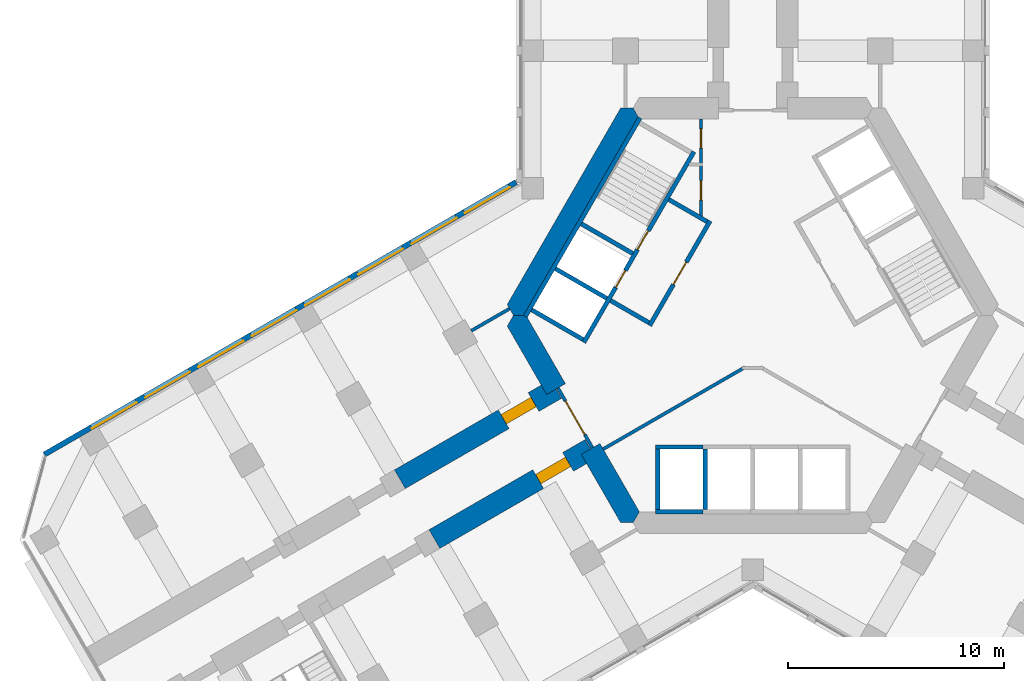
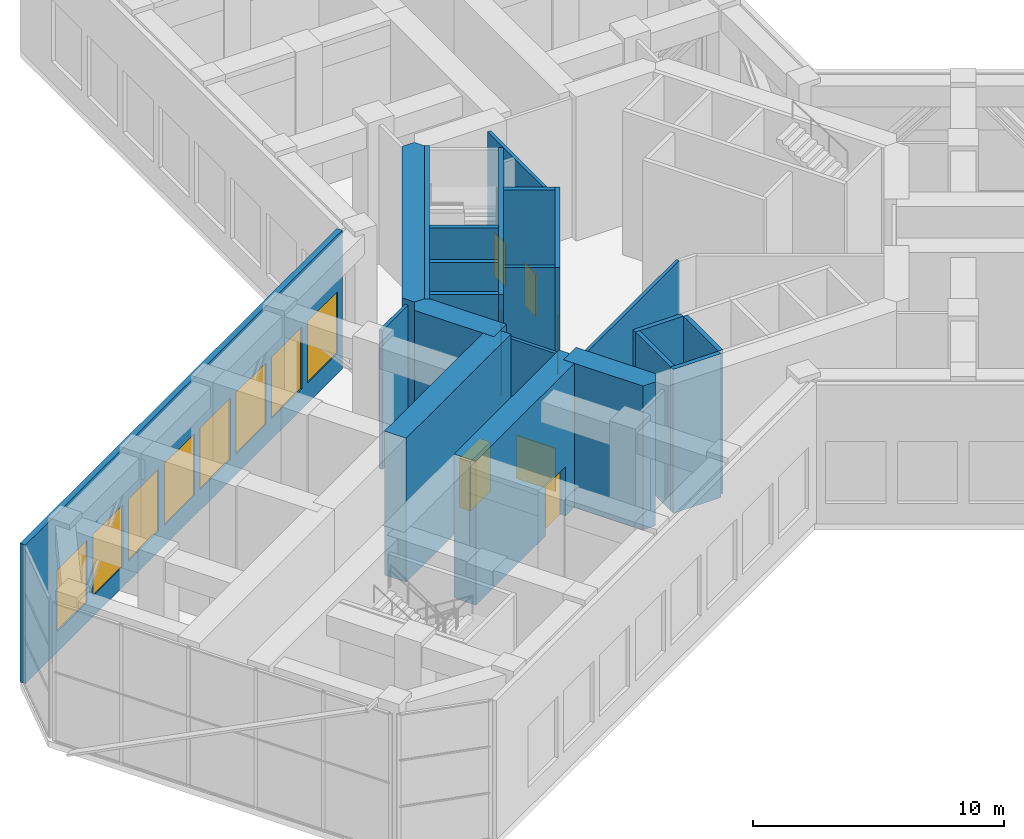
# One storey, part 11 of 17: 22 walls, 8 doors, 8 windows, 16 openings.
"""IFC4 building model written with IfcOpenShell, lengths in metres."""

from ifc_helpers import new_model, si_unit, direction, frame, frame_2d, origin, place, context, subcontext, project, spatial, polyline, rectangle, outline, extrude, material, layer, layer_set, type_object, element, fill, save


model = new_model("IFC4")

# Units and contexts
model_context = context("Model", 3, precision=1e-05, world=origin(), true_north=direction((0.0, 1.0)))
body_context = subcontext(model_context, "Body", "Model", "MODEL_VIEW")
ifc_project = project(units=[si_unit("LENGTHUNIT", "METRE"), si_unit("AREAUNIT", "SQUARE_METRE"), si_unit("VOLUMEUNIT", "CUBIC_METRE"), si_unit("PLANEANGLEUNIT", "RADIAN"), si_unit("MASSUNIT", "GRAM", prefix="KILO")], contexts=[model_context])

# Site, building, storey
site_placement = place(None, origin())
site = spatial("IfcSite", under=ifc_project, at=site_placement, CompositionType="ELEMENT")
building_placement = place(site_placement, origin())
building = spatial("IfcBuilding", under=site, at=building_placement, Name="Kosmar Iwan School Tower", CompositionType="ELEMENT")
storey_placement = place(building_placement, frame((0.0, 0.0, 113.199951171875)))
storey = spatial("IfcBuildingStorey", under=building, at=storey_placement, Name="L28", CompositionType="ELEMENT", Elevation=113.199951171875)

# Wall, openings, doors
ifc_material_1 = material(Name="Gypsum board on steel studs, fire-rated", Category="steel")
ifc_layer_1 = layer(ifc_material_1, 0.14990234375)
ifc_layer_set_1 = layer_set([ifc_layer_1], Name="Core room partition 150")
wall_type_1 = type_object("IfcWallType", Name="Core room partition 150", PredefinedType="PARTITIONING", material=ifc_layer_set_1)
wall_1_placement = place(storey_placement, frame((-2.39990234375, 9.094970703125, 0.0), z_axis=(0.0, 0.0, 1.0), x_axis=(0.0, -1.0, 0.0)))
wall_1 = element("IfcWall", 1, at=wall_1_placement, inside=storey, type_object=wall_type_1, Name="Core room partition L28-CW1", PredefinedType="PARTITIONING", context=body_context, shape_type="SweptSolid", body=[
    extrude(rectangle(XDim=4.564208984375, YDim=0.14990234375, at=frame_2d((2.2822265625, 0.0))), origin(), (0.0, 0.0, 1.0), 6.75),
])
opening_1_placement = place(wall_1_placement, frame((0.455078125, 0.0, 0.0)))
opening_1 = element("IfcOpeningElement", 2, at=opening_1_placement, cuts=wall_1, Name="Opening D14", PredefinedType="OPENING", context=body_context, shape_type="SweptSolid", body=[
    extrude(rectangle(XDim=0.89990234375, YDim=2.10009765625, at=frame_2d((0.449951171875, 1.050048828125))), frame((0.0, 0.0869140625, 0.0), z_axis=(0.0, -1.0, 0.0), x_axis=(1.0, 0.0, 0.0)), (0.0, 0.0, 1.0), 0.173828125),
])
opening_2_placement = place(wall_1_placement, frame((2.85498046875, 0.0, 0.0)))
opening_2 = element("IfcOpeningElement", 3, at=opening_2_placement, cuts=wall_1, Name="Opening D14", PredefinedType="OPENING", context=body_context, shape_type="SweptSolid", body=[
    extrude(rectangle(XDim=0.89990234375, YDim=2.10009765625, at=frame_2d((0.449951171875, 1.050048828125))), frame((0.0, 0.0869140625, 0.0), z_axis=(0.0, -1.0, 0.0), x_axis=(1.0, 0.0, 0.0)), (0.0, 0.0, 1.0), 0.173828125),
])
ifc_material_2 = material(Name="Timber fire door in steel frame", Category="steel")
door_type_1 = type_object("IfcDoorType", Name="Core room door 900x2100", OperationType="SINGLE_SWING_LEFT", PredefinedType="DOOR", material=ifc_material_2)
door_1_placement = place(opening_1_placement, origin())
door_1 = element("IfcDoor", 4, at=door_1_placement, inside=storey, type_object=door_type_1, Name="Electrical riser and switch room door L28 1", OperationType="SINGLE_SWING_LEFT", OverallHeight=2.10009765625, OverallWidth=0.89990234375, PredefinedType="DOOR", context=body_context, shape_type="SweptSolid", body=[
    extrude(rectangle(XDim=0.89990234375, YDim=2.10009765625, at=frame_2d((0.449951171875, 1.050048828125))), frame((0.0, 0.02490234375, 0.0), z_axis=(0.0, -1.0, 0.0), x_axis=(1.0, 0.0, 0.0)), (0.0, 0.0, 1.0), 0.050048828125),
])
fill(opening_1, door_1)
door_2_placement = place(opening_2_placement, origin())
door_2 = element("IfcDoor", 5, at=door_2_placement, inside=storey, type_object=door_type_1, Name="Plumbing and wet riser door L28 2", OperationType="SINGLE_SWING_RIGHT", OverallHeight=2.10009765625, OverallWidth=0.89990234375, PredefinedType="DOOR", context=body_context, shape_type="SweptSolid", body=[
    extrude(rectangle(XDim=0.89990234375, YDim=2.10009765625, at=frame_2d((0.449951171875, 1.050048828125))), frame((0.0, 0.02490234375, 0.0), z_axis=(0.0, -1.0, 0.0), x_axis=(1.0, 0.0, 0.0)), (0.0, 0.0, 1.0), 0.050048828125),
])
fill(opening_2, door_2)

# Walls
wall_2_placement = place(storey_placement, frame((-6.930908203125, -6.195556640625, 0.0), z_axis=(0.0, 0.0, 1.0), x_axis=(0.866025421855, 0.4999999687, 0.0)))
element("IfcWall", 6, at=wall_2_placement, inside=storey, type_object=wall_type_1, Name="Core room partition L28-CW6", PredefinedType="PARTITIONING", context=body_context, shape_type="SweptSolid", body=[
    extrude(rectangle(XDim=7.58984375, YDim=0.14990234375, at=frame_2d((3.794921875, 0.0))), origin(), (0.0, 0.0, 1.0), 6.75),
])
ifc_material_3 = material(Name="Concrete C50/60", Category="concrete")
ifc_layer_2 = layer(ifc_material_3, 1.0)
ifc_layer_set_2 = layer_set([ifc_layer_2], Name="Core wall 1000")
wall_type_2 = type_object("IfcWallType", Name="Core wall 1000", PredefinedType="SHEAR", material=ifc_layer_set_2)
wall_3_placement = place(storey_placement, origin())
element("IfcWall", 7, at=wall_3_placement, inside=storey, type_object=wall_type_2, Name="Core wall F150", PredefinedType="SHEAR", context=body_context, shape_type="SweptSolid", body=[
    extrude(outline(polyline([(-11.085205078125, 0.0), (-10.5078125, 0.0), (-5.25390625, 9.10009765625), (-5.54248046875, 9.60009765625), (-6.119873046875, 9.60009765625), (-11.373779296875, 0.5), (-11.085205078125, 0.0)])), origin(), (0.0, 0.0, 1.0), 7.0),
])
wall_4_placement = place(storey_placement, origin())
element("IfcWall", 8, at=wall_4_placement, inside=storey, type_object=wall_type_2, Name="Core wall F210a", PredefinedType="SHEAR", context=body_context, shape_type="SweptSolid", body=[
    extrude(outline(polyline([(-9.546875, -3.664306640625), (-8.680908203125, -3.164306640625), (-10.5078125, 0.0), (-11.085205078125, 0.0), (-11.373779296875, -0.5), (-9.546875, -3.664306640625)])), origin(), (0.0, 0.0, 1.0), 7.0),
])
wall_5_placement = place(storey_placement, origin())
element("IfcWall", 9, at=wall_5_placement, inside=storey, type_object=wall_type_2, Name="Core wall F210b", PredefinedType="SHEAR", context=body_context, shape_type="SweptSolid", body=[
    extrude(outline(polyline([(-6.119873046875, -9.60009765625), (-5.54248046875, -9.60009765625), (-5.25390625, -9.10009765625), (-7.080810546875, -5.935546875), (-7.94677734375, -6.435546875), (-6.119873046875, -9.60009765625)])), origin(), (0.0, 0.0, 1.0), 7.0),
])

# Wall, opening, door
ifc_material_4 = material(Name="Concrete C50/60", Category="concrete")
ifc_layer_3 = layer(ifc_material_4, 1.0)
ifc_layer_set_3 = layer_set([ifc_layer_3], Name="Corridor buttress wall 1000")
wall_type_3 = type_object("IfcWallType", Name="Corridor buttress wall 1000", PredefinedType="SHEAR", material=ifc_layer_set_3)
wall_6_placement = place(storey_placement, frame((-7.513916015625, -6.185546875, 0.0), z_axis=(0.0, 0.0, 1.0), x_axis=(-0.866019549707, -0.500010139422, 0.0)))
wall_6 = element("IfcWall", 10, at=wall_6_placement, inside=storey, type_object=wall_type_3, Name="Corridor wall BL", PredefinedType="SHEAR", context=body_context, shape_type="SweptSolid", body=[
    extrude(rectangle(XDim=8.349853515625, YDim=1.0, at=frame_2d((4.1748046875, 0.0))), origin(), (0.0, 0.0, 1.0), 7.0),
])
opening_3_placement = place(wall_6_placement, frame((1.199951171875, 0.0, 0.0)))
opening_3 = element("IfcOpeningElement", 11, at=opening_3_placement, cuts=wall_6, Name="Opening D5", PredefinedType="OPENING", context=body_context, shape_type="SweptSolid", body=[
    extrude(rectangle(XDim=1.60009765625, YDim=2.39990234375, at=frame_2d((0.800048828125, 1.199951171875))), frame((0.0, 0.511962890625, 0.0), z_axis=(0.0, -1.0, 0.0), x_axis=(1.0, 0.0, 0.0)), (0.0, 0.0, 1.0), 1.02392578125),
])
ifc_material_5 = material(Name="Steel fire door", Category="steel")
door_type_2 = type_object("IfcDoorType", Name="Plant room door pair 1600x2400", OperationType="DOUBLE_DOOR_SINGLE_SWING", PredefinedType="DOOR", material=ifc_material_5)
door_3_placement = place(opening_3_placement, origin())
door_3 = element("IfcDoor", 12, at=door_3_placement, inside=storey, type_object=door_type_2, Name="Refuge area door L28-BL1", OperationType="DOUBLE_DOOR_SINGLE_SWING", OverallHeight=2.39990234375, OverallWidth=1.60009765625, PredefinedType="DOOR", context=body_context, shape_type="SweptSolid", body=[
    extrude(rectangle(XDim=1.60009765625, YDim=2.39990234375, at=frame_2d((0.800048828125, 1.199951171875))), frame((0.0, 0.25, 0.0), z_axis=(0.0, -1.0, 0.0), x_axis=(1.0, 0.0, 0.0)), (0.0, 0.0, 1.0), 0.5),
])
fill(opening_3, door_3)

wall_7_placement = place(storey_placement, frame((-9.11376953125, -3.414306640625, 0.0), z_axis=(0.0, 0.0, 1.0), x_axis=(-0.866026859388, -0.499997478812, 0.0)))
wall_7 = element("IfcWall", 13, at=wall_7_placement, inside=storey, type_object=wall_type_3, Name="Corridor wall BR", PredefinedType="SHEAR", context=body_context, shape_type="SweptSolid", body=[
    extrude(rectangle(XDim=8.35009765625, YDim=1.0, at=frame_2d((4.175048828125, 0.0))), origin(), (0.0, 0.0, 1.0), 7.0),
])
opening_4_placement = place(wall_7_placement, frame((1.199951171875, 0.0, 0.0)))
opening_4 = element("IfcOpeningElement", 14, at=opening_4_placement, cuts=wall_7, Name="Opening D5", PredefinedType="OPENING", context=body_context, shape_type="SweptSolid", body=[
    extrude(rectangle(XDim=1.60009765625, YDim=2.39990234375, at=frame_2d((0.800048828125, 1.199951171875))), frame((0.0, 0.511962890625, 0.0), z_axis=(0.0, -1.0, 0.0), x_axis=(1.0, 0.0, 0.0)), (0.0, 0.0, 1.0), 1.02392578125),
])
door_4_placement = place(opening_4_placement, origin())
door_4 = element("IfcDoor", 15, at=door_4_placement, inside=storey, type_object=door_type_2, Name="Refuge area door L28-BR1", OperationType="DOUBLE_DOOR_SINGLE_SWING", OverallHeight=2.39990234375, OverallWidth=1.60009765625, PredefinedType="DOOR", context=body_context, shape_type="SweptSolid", body=[
    extrude(rectangle(XDim=1.60009765625, YDim=2.39990234375, at=frame_2d((0.800048828125, 1.199951171875))), frame((0.0, 0.25, 0.0), z_axis=(0.0, -1.0, 0.0), x_axis=(1.0, 0.0, 0.0)), (0.0, 0.0, 1.0), 0.5),
])
fill(opening_4, door_4)

ifc_material_6 = material(Name="Steel framed glazed screen", Category="steel")
ifc_layer_4 = layer(ifc_material_6, 0.14990234375)
ifc_layer_set_4 = layer_set([ifc_layer_4], Name="Corridor screen wall 150")
wall_type_4 = type_object("IfcWallType", Name="Corridor screen wall 150", PredefinedType="PARTITIONING", material=ifc_layer_set_4)
wall_8_placement = place(storey_placement, frame((-9.02734375, -3.3642578125, 0.0), z_axis=(0.0, 0.0, 1.0), x_axis=(0.499995408039, -0.866028054938, 0.0)))
wall_8 = element("IfcWall", 16, at=wall_8_placement, inside=storey, type_object=wall_type_4, Name="Corridor screen B L28", PredefinedType="PARTITIONING", context=body_context, shape_type="SweptSolid", body=[
    extrude(rectangle(XDim=3.2001953125, YDim=0.14990234375, at=frame_2d((1.60009765625, 0.0))), origin(), (0.0, 0.0, 1.0), 6.75),
])
opening_5_placement = place(wall_8_placement, frame((0.699951171875, 0.0, 0.0)))
opening_5 = element("IfcOpeningElement", 17, at=opening_5_placement, cuts=wall_8, Name="Opening D9", PredefinedType="OPENING", context=body_context, shape_type="SweptSolid", body=[
    extrude(rectangle(XDim=1.800048828125, YDim=2.10009765625, at=frame_2d((0.89990234375, 1.050048828125))), frame((0.0, 0.0869140625, 0.0), z_axis=(0.0, -1.0, 0.0), x_axis=(1.0, 0.0, 0.0)), (0.0, 0.0, 1.0), 0.173828125),
])
ifc_material_7 = material(Name="Steel framed glazed smoke door", Category="steel")
door_type_3 = type_object("IfcDoorType", Name="Corridor smoke door pair 1800x2100", OperationType="DOUBLE_DOOR_DOUBLE_SWING", PredefinedType="DOOR", material=ifc_material_7)
door_5_placement = place(opening_5_placement, origin())
door_5 = element("IfcDoor", 18, at=door_5_placement, inside=storey, type_object=door_type_3, Name="Corridor doors B L28", OperationType="DOUBLE_DOOR_DOUBLE_SWING", OverallHeight=2.10009765625, OverallWidth=1.800048828125, PredefinedType="DOOR", context=body_context, shape_type="SweptSolid", body=[
    extrude(rectangle(XDim=1.800048828125, YDim=2.10009765625, at=frame_2d((0.89990234375, 1.050048828125))), frame((0.0, 0.02490234375, 0.0), z_axis=(0.0, -1.0, 0.0), x_axis=(1.0, 0.0, 0.0)), (0.0, 0.0, 1.0), 0.050048828125),
])
fill(opening_5, door_5)

# Wall, openings, windows
ifc_material_8 = material(Name="Black aluminium rainscreen on insulated framing", Category="aluminium")
ifc_layer_5 = layer(ifc_material_8, 0.25)
ifc_layer_set_5 = layer_set([ifc_layer_5], Name="External wall rainscreen 250")
wall_type_5 = type_object("IfcWallType", Name="External wall rainscreen 250", PredefinedType="SOLIDWALL", material=ifc_layer_set_5)
wall_9_placement = place(storey_placement, frame((-10.962890625, 6.170166015625, 0.0), z_axis=(0.0, 0.0, 1.0), x_axis=(-0.86602796634, -0.499995561497, 0.0)))
wall_9 = element("IfcWall", 19, at=wall_9_placement, inside=storey, type_object=wall_type_5, Name="External wall BR L28", PredefinedType="SOLIDWALL", context=body_context, shape_type="SweptSolid", body=[
    extrude(rectangle(XDim=25.226318359375, YDim=0.25, at=frame_2d((12.61328125, 0.0))), origin(), (0.0, 0.0, 1.0), 6.75),
])
opening_6_placement = place(wall_9_placement, frame((0.365966796875, 0.0, 1.0)))
opening_6 = element("IfcOpeningElement", 20, at=opening_6_placement, cuts=wall_9, Name="Opening LV1", PredefinedType="OPENING", context=body_context, shape_type="SweptSolid", body=[
    extrude(rectangle(XDim=2.39990234375, YDim=3.0, at=frame_2d((1.199951171875, 1.5))), frame((0.0, 0.136962890625, 0.0), z_axis=(0.0, -1.0, 0.0), x_axis=(1.0, 0.0, 0.0)), (0.0, 0.0, 1.0), 0.27392578125),
])
opening_7_placement = place(wall_9_placement, frame((3.216064453125, 0.0, 1.0)))
opening_7 = element("IfcOpeningElement", 21, at=opening_7_placement, cuts=wall_9, Name="Opening LV1", PredefinedType="OPENING", context=body_context, shape_type="SweptSolid", body=[
    extrude(rectangle(XDim=2.39990234375, YDim=3.0, at=frame_2d((1.199951171875, 1.5))), frame((0.0, 0.136962890625, 0.0), z_axis=(0.0, -1.0, 0.0), x_axis=(1.0, 0.0, 0.0)), (0.0, 0.0, 1.0), 0.27392578125),
])
opening_8_placement = place(wall_9_placement, frame((6.06591796875, 0.0, 1.0)))
opening_8 = element("IfcOpeningElement", 22, at=opening_8_placement, cuts=wall_9, Name="Opening LV1", PredefinedType="OPENING", context=body_context, shape_type="SweptSolid", body=[
    extrude(rectangle(XDim=2.39990234375, YDim=3.0, at=frame_2d((1.199951171875, 1.5))), frame((0.0, 0.136962890625, 0.0), z_axis=(0.0, -1.0, 0.0), x_axis=(1.0, 0.0, 0.0)), (0.0, 0.0, 1.0), 0.27392578125),
])
opening_9_placement = place(wall_9_placement, frame((8.916015625, 0.0, 1.0)))
opening_9 = element("IfcOpeningElement", 23, at=opening_9_placement, cuts=wall_9, Name="Opening LV1", PredefinedType="OPENING", context=body_context, shape_type="SweptSolid", body=[
    extrude(rectangle(XDim=2.39990234375, YDim=3.0, at=frame_2d((1.199951171875, 1.5))), frame((0.0, 0.136962890625, 0.0), z_axis=(0.0, -1.0, 0.0), x_axis=(1.0, 0.0, 0.0)), (0.0, 0.0, 1.0), 0.27392578125),
])
opening_10_placement = place(wall_9_placement, frame((11.76611328125, 0.0, 1.0)))
opening_10 = element("IfcOpeningElement", 24, at=opening_10_placement, cuts=wall_9, Name="Opening LV1", PredefinedType="OPENING", context=body_context, shape_type="SweptSolid", body=[
    extrude(rectangle(XDim=2.39990234375, YDim=3.0, at=frame_2d((1.199951171875, 1.5))), frame((0.0, 0.136962890625, 0.0), z_axis=(0.0, -1.0, 0.0), x_axis=(1.0, 0.0, 0.0)), (0.0, 0.0, 1.0), 0.27392578125),
])
opening_11_placement = place(wall_9_placement, frame((14.615966796875, 0.0, 1.0)))
opening_11 = element("IfcOpeningElement", 25, at=opening_11_placement, cuts=wall_9, Name="Opening LV1", PredefinedType="OPENING", context=body_context, shape_type="SweptSolid", body=[
    extrude(rectangle(XDim=2.39990234375, YDim=3.0, at=frame_2d((1.199951171875, 1.5))), frame((0.0, 0.136962890625, 0.0), z_axis=(0.0, -1.0, 0.0), x_axis=(1.0, 0.0, 0.0)), (0.0, 0.0, 1.0), 0.27392578125),
])
opening_12_placement = place(wall_9_placement, frame((17.466064453125, 0.0, 1.0)))
opening_12 = element("IfcOpeningElement", 26, at=opening_12_placement, cuts=wall_9, Name="Opening LV1", PredefinedType="OPENING", context=body_context, shape_type="SweptSolid", body=[
    extrude(rectangle(XDim=2.39990234375, YDim=3.0, at=frame_2d((1.199951171875, 1.5))), frame((0.0, 0.136962890625, 0.0), z_axis=(0.0, -1.0, 0.0), x_axis=(1.0, 0.0, 0.0)), (0.0, 0.0, 1.0), 0.27392578125),
])
opening_13_placement = place(wall_9_placement, frame((20.31591796875, 0.0, 1.0)))
opening_13 = element("IfcOpeningElement", 27, at=opening_13_placement, cuts=wall_9, Name="Opening LV1", PredefinedType="OPENING", context=body_context, shape_type="SweptSolid", body=[
    extrude(rectangle(XDim=2.39990234375, YDim=3.0, at=frame_2d((1.199951171875, 1.5))), frame((0.0, 0.136962890625, 0.0), z_axis=(0.0, -1.0, 0.0), x_axis=(1.0, 0.0, 0.0)), (0.0, 0.0, 1.0), 0.27392578125),
])
ifc_material_9 = material(Name="Black aluminium louvre", Category="aluminium")
window_type = type_object("IfcWindowType", Name="Plant louvre 2400x3000", PartitioningType="SINGLE_PANEL", PredefinedType="USERDEFINED", material=ifc_material_9)
window_1_placement = place(opening_6_placement, origin())
window_1 = element("IfcWindow", 28, at=window_1_placement, inside=storey, type_object=window_type, Name="Window BR L28 -1", ObjectType="LOUVRE", OverallHeight=3.0, OverallWidth=2.39990234375, PartitioningType="SINGLE_PANEL", PredefinedType="USERDEFINED", context=body_context, shape_type="SweptSolid", body=[
    extrude(rectangle(XDim=2.39990234375, YDim=3.0, at=frame_2d((1.199951171875, 1.5))), frame((0.0, 0.070068359375, 0.0), z_axis=(0.0, -1.0, 0.0), x_axis=(1.0, 0.0, 0.0)), (0.0, 0.0, 1.0), 0.02001953125),
])
fill(opening_6, window_1)
window_2_placement = place(opening_7_placement, origin())
window_2 = element("IfcWindow", 29, at=window_2_placement, inside=storey, type_object=window_type, Name="Window BR L28 0", ObjectType="LOUVRE", OverallHeight=3.0, OverallWidth=2.39990234375, PartitioningType="SINGLE_PANEL", PredefinedType="USERDEFINED", context=body_context, shape_type="SweptSolid", body=[
    extrude(rectangle(XDim=2.39990234375, YDim=3.0, at=frame_2d((1.199951171875, 1.5))), frame((0.0, 0.070068359375, 0.0), z_axis=(0.0, -1.0, 0.0), x_axis=(1.0, 0.0, 0.0)), (0.0, 0.0, 1.0), 0.02001953125),
])
fill(opening_7, window_2)
window_3_placement = place(opening_8_placement, origin())
window_3 = element("IfcWindow", 30, at=window_3_placement, inside=storey, type_object=window_type, Name="Window BR L28 1", ObjectType="LOUVRE", OverallHeight=3.0, OverallWidth=2.39990234375, PartitioningType="SINGLE_PANEL", PredefinedType="USERDEFINED", context=body_context, shape_type="SweptSolid", body=[
    extrude(rectangle(XDim=2.39990234375, YDim=3.0, at=frame_2d((1.199951171875, 1.5))), frame((0.0, 0.070068359375, 0.0), z_axis=(0.0, -1.0, 0.0), x_axis=(1.0, 0.0, 0.0)), (0.0, 0.0, 1.0), 0.02001953125),
])
fill(opening_8, window_3)
window_4_placement = place(opening_9_placement, origin())
window_4 = element("IfcWindow", 31, at=window_4_placement, inside=storey, type_object=window_type, Name="Window BR L28 2", ObjectType="LOUVRE", OverallHeight=3.0, OverallWidth=2.39990234375, PartitioningType="SINGLE_PANEL", PredefinedType="USERDEFINED", context=body_context, shape_type="SweptSolid", body=[
    extrude(rectangle(XDim=2.39990234375, YDim=3.0, at=frame_2d((1.199951171875, 1.5))), frame((0.0, 0.070068359375, 0.0), z_axis=(0.0, -1.0, 0.0), x_axis=(1.0, 0.0, 0.0)), (0.0, 0.0, 1.0), 0.02001953125),
])
fill(opening_9, window_4)
window_5_placement = place(opening_10_placement, origin())
window_5 = element("IfcWindow", 32, at=window_5_placement, inside=storey, type_object=window_type, Name="Window BR L28 3", ObjectType="LOUVRE", OverallHeight=3.0, OverallWidth=2.39990234375, PartitioningType="SINGLE_PANEL", PredefinedType="USERDEFINED", context=body_context, shape_type="SweptSolid", body=[
    extrude(rectangle(XDim=2.39990234375, YDim=3.0, at=frame_2d((1.199951171875, 1.5))), frame((0.0, 0.070068359375, 0.0), z_axis=(0.0, -1.0, 0.0), x_axis=(1.0, 0.0, 0.0)), (0.0, 0.0, 1.0), 0.02001953125),
])
fill(opening_10, window_5)
window_6_placement = place(opening_11_placement, origin())
window_6 = element("IfcWindow", 33, at=window_6_placement, inside=storey, type_object=window_type, Name="Window BR L28 4", ObjectType="LOUVRE", OverallHeight=3.0, OverallWidth=2.39990234375, PartitioningType="SINGLE_PANEL", PredefinedType="USERDEFINED", context=body_context, shape_type="SweptSolid", body=[
    extrude(rectangle(XDim=2.39990234375, YDim=3.0, at=frame_2d((1.199951171875, 1.5))), frame((0.0, 0.070068359375, 0.0), z_axis=(0.0, -1.0, 0.0), x_axis=(1.0, 0.0, 0.0)), (0.0, 0.0, 1.0), 0.02001953125),
])
fill(opening_11, window_6)
window_7_placement = place(opening_12_placement, origin())
window_7 = element("IfcWindow", 34, at=window_7_placement, inside=storey, type_object=window_type, Name="Window BR L28 5", ObjectType="LOUVRE", OverallHeight=3.0, OverallWidth=2.39990234375, PartitioningType="SINGLE_PANEL", PredefinedType="USERDEFINED", context=body_context, shape_type="SweptSolid", body=[
    extrude(rectangle(XDim=2.39990234375, YDim=3.0, at=frame_2d((1.199951171875, 1.5))), frame((0.0, 0.070068359375, 0.0), z_axis=(0.0, -1.0, 0.0), x_axis=(1.0, 0.0, 0.0)), (0.0, 0.0, 1.0), 0.02001953125),
])
fill(opening_12, window_7)
window_8_placement = place(opening_13_placement, origin())
window_8 = element("IfcWindow", 35, at=window_8_placement, inside=storey, type_object=window_type, Name="Window BR L28 6", ObjectType="LOUVRE", OverallHeight=3.0, OverallWidth=2.39990234375, PartitioningType="SINGLE_PANEL", PredefinedType="USERDEFINED", context=body_context, shape_type="SweptSolid", body=[
    extrude(rectangle(XDim=2.39990234375, YDim=3.0, at=frame_2d((1.199951171875, 1.5))), frame((0.0, 0.070068359375, 0.0), z_axis=(0.0, -1.0, 0.0), x_axis=(1.0, 0.0, 0.0)), (0.0, 0.0, 1.0), 0.02001953125),
])
fill(opening_13, window_8)

# Wall, opening, door
ifc_material_10 = material(Name="Concrete block masonry", Category="masonry")
ifc_layer_6 = layer(ifc_material_10, 0.199951171875)
ifc_layer_set_6 = layer_set([ifc_layer_6], Name="Fire lobby wall 200")
wall_type_6 = type_object("IfcWallType", Name="Fire lobby wall 200", PredefinedType="PARTITIONING", material=ifc_layer_set_6)
wall_10_placement = place(storey_placement, frame((-1.9775390625, 4.374755859375, 0.0), z_axis=(0.0, 0.0, 1.0), x_axis=(-0.500016814911, -0.866015695474, 0.0)))
wall_10 = element("IfcWall", 36, at=wall_10_placement, inside=storey, type_object=wall_type_6, Name="Firefighting lobby wall ST2", PredefinedType="PARTITIONING", context=body_context, shape_type="SweptSolid", body=[
    extrude(rectangle(XDim=5.599853515625, YDim=0.199951171875, at=frame_2d((2.7998046875, 0.0))), origin(), (0.0, 0.0, 1.0), 6.75),
])
opening_14_placement = place(wall_10_placement, frame((2.199951171875, 0.0, 0.0)))
opening_14 = element("IfcOpeningElement", 37, at=opening_14_placement, cuts=wall_10, Name="Opening D7", PredefinedType="OPENING", context=body_context, shape_type="SweptSolid", body=[
    extrude(rectangle(XDim=1.199951171875, YDim=2.10009765625, at=frame_2d((0.60009765625, 1.050048828125))), frame((0.0, 0.112060546875, 0.0), z_axis=(0.0, -1.0, 0.0), x_axis=(1.0, 0.0, 0.0)), (0.0, 0.0, 1.0), 0.223876953125),
])
ifc_material_11 = material(Name="Steel fire door", Category="steel")
door_type_4 = type_object("IfcDoorType", Name="Fire lobby door 1200x2100", OperationType="SINGLE_SWING_LEFT", PredefinedType="DOOR", material=ifc_material_11)
door_6_placement = place(opening_14_placement, origin())
door_6 = element("IfcDoor", 38, at=door_6_placement, inside=storey, type_object=door_type_4, Name="Firefighting lobby door ST2 L28", OperationType="SINGLE_SWING_LEFT", OverallHeight=2.10009765625, OverallWidth=1.199951171875, PredefinedType="DOOR", context=body_context, shape_type="SweptSolid", body=[
    extrude(rectangle(XDim=1.199951171875, YDim=2.10009765625, at=frame_2d((0.60009765625, 1.050048828125))), frame((0.0, 0.02490234375, 0.0), z_axis=(0.0, -1.0, 0.0), x_axis=(1.0, 0.0, 0.0)), (0.0, 0.0, 1.0), 0.050048828125),
])
fill(opening_14, door_6)

# Walls
wall_11_placement = place(storey_placement, frame((-2.114013671875, 4.33837890625, 0.0), z_axis=(0.0, 0.0, 1.0), x_axis=(-0.866050731258, 0.499956128963, 0.0)))
element("IfcWall", 39, at=wall_11_placement, inside=storey, type_object=wall_type_6, Name="Firefighting lobby wall ST2", PredefinedType="PARTITIONING", context=body_context, shape_type="SweptSolid", body=[
    extrude(rectangle(XDim=2.050048828125, YDim=0.199951171875, at=frame_2d((1.02490234375, 0.0))), origin(), (0.0, 0.0, 1.0), 6.75),
])
wall_12_placement = place(storey_placement, frame((-4.814208984375, -0.33837890625, 0.0), z_axis=(0.0, 0.0, 1.0), x_axis=(-0.865969381856, 0.500097020274, 0.0)))
element("IfcWall", 40, at=wall_12_placement, inside=storey, type_object=wall_type_6, Name="Firefighting lobby wall ST2", PredefinedType="PARTITIONING", context=body_context, shape_type="SweptSolid", body=[
    extrude(rectangle(XDim=2.0498046875, YDim=0.199951171875, at=frame_2d((1.02490234375, 0.0))), origin(), (0.0, 0.0, 1.0), 6.75),
])

# Wall, openings, doors
ifc_material_12 = material(Name="Concrete C50/60", Category="concrete")
ifc_layer_7 = layer(ifc_material_12, 0.199951171875)
ifc_layer_set_7 = layer_set([ifc_layer_7], Name="Lift shaft wall 200")
wall_type_7 = type_object("IfcWallType", Name="Lift shaft wall 200", PredefinedType="SHEAR", material=ifc_layer_set_7)
wall_13_placement = place(storey_placement, frame((-2.72607421875, 7.578369140625, 0.0), z_axis=(0.0, 0.0, 1.0), x_axis=(-0.500005610874, -0.86602216432, 0.0)))
wall_13 = element("IfcWall", 41, at=wall_13_placement, inside=storey, type_object=wall_type_7, Name="Lift and stair front wall AB", PredefinedType="SHEAR", context=body_context, shape_type="SweptSolid", body=[
    extrude(rectangle(XDim=10.2001953125, YDim=0.199951171875, at=frame_2d((5.10009765625, 0.0))), origin(), (0.0, 0.0, 1.0), 7.0),
])
opening_15_placement = place(wall_13_placement, frame((6.35009765625, 0.0, 0.0)))
opening_15 = element("IfcOpeningElement", 42, at=opening_15_placement, cuts=wall_13, Name="Opening LD2", PredefinedType="OPENING", context=body_context, shape_type="SweptSolid", body=[
    extrude(rectangle(XDim=0.89990234375, YDim=2.10009765625, at=frame_2d((0.449951171875, 1.050048828125))), frame((0.0, 0.112060546875, 0.0), z_axis=(0.0, -1.0, 0.0), x_axis=(1.0, 0.0, 0.0)), (0.0, 0.0, 1.0), 0.223876953125),
])
opening_16_placement = place(wall_13_placement, frame((4.22998046875, 0.0, 0.0)))
opening_16 = element("IfcOpeningElement", 43, at=opening_16_placement, cuts=wall_13, Name="Opening D6", PredefinedType="OPENING", context=body_context, shape_type="SweptSolid", body=[
    extrude(rectangle(XDim=1.0, YDim=2.10009765625, at=frame_2d((0.5, 1.050048828125))), frame((0.0, 0.112060546875, 0.0), z_axis=(0.0, -1.0, 0.0), x_axis=(1.0, 0.0, 0.0)), (0.0, 0.0, 1.0), 0.223876953125),
])
ifc_material_13 = material(Name="Stainless steel sliding lift door", Category="steel")
door_type_5 = type_object("IfcDoorType", Name="Firefighting lift landing door 900x2100", OperationType="SLIDING_TO_LEFT", PredefinedType="DOOR", material=ifc_material_13)
door_7_placement = place(opening_15_placement, origin())
door_7 = element("IfcDoor", 44, at=door_7_placement, inside=storey, type_object=door_type_5, Name="Lift FF2 landing door L28", OperationType="SLIDING_TO_LEFT", OverallHeight=2.10009765625, OverallWidth=0.89990234375, PredefinedType="DOOR", context=body_context, shape_type="SweptSolid", body=[
    extrude(rectangle(XDim=0.89990234375, YDim=2.10009765625, at=frame_2d((0.449951171875, 1.050048828125))), frame((0.0, 0.02490234375, 0.0), z_axis=(0.0, -1.0, 0.0), x_axis=(1.0, 0.0, 0.0)), (0.0, 0.0, 1.0), 0.050048828125),
])
fill(opening_15, door_7)
ifc_material_14 = material(Name="Steel fire door", Category="steel")
door_type_6 = type_object("IfcDoorType", Name="Stair door 1000x2100", OperationType="SINGLE_SWING_LEFT", PredefinedType="DOOR", material=ifc_material_14)
door_8_placement = place(opening_16_placement, origin())
door_8 = element("IfcDoor", 45, at=door_8_placement, inside=storey, type_object=door_type_6, Name="Stair ST2 door L28", OperationType="SINGLE_SWING_LEFT", OverallHeight=2.10009765625, OverallWidth=1.0, PredefinedType="DOOR", context=body_context, shape_type="SweptSolid", body=[
    extrude(rectangle(XDim=1.0, YDim=2.10009765625, at=frame_2d((0.5, 1.050048828125))), frame((0.0, 0.02490234375, 0.0), z_axis=(0.0, -1.0, 0.0), x_axis=(1.0, 0.0, 0.0)), (0.0, 0.0, 1.0), 0.050048828125),
])
fill(opening_16, door_8)

# Walls
wall_14_placement = place(storey_placement, frame((-5.22509765625, 9.14990234375, 0.0), z_axis=(0.0, 0.0, 1.0), x_axis=(-0.499994998079, -0.866028291626, 0.0)))
element("IfcWall", 46, at=wall_14_placement, inside=storey, type_object=wall_type_7, Name="Lift and stair back wall AB", PredefinedType="SHEAR", context=body_context, shape_type="SweptSolid", body=[
    extrude(rectangle(XDim=10.623046875, YDim=0.199951171875, at=frame_2d((5.3115234375, 0.0))), origin(), (0.0, 0.0, 1.0), 7.0),
])
for number, where, z_axis, x_axis, name in (
    (47, (-6.7626953125, 0.78662109375, 0.0), (0.0, 0.0, 1.0), (-0.866027397988, 0.499996545922, 0.0), "Lift shaft wall AB 1"),
    (48, (-7.862548828125, -1.118408203125, 0.0), (0.0, 0.0, 1.0), (-0.866027397988, 0.499996545922, 0.0), "Lift shaft wall AB 2"),
):
    element("IfcWall", number, at=place(storey_placement, frame(where, z_axis=z_axis, x_axis=x_axis)), inside=storey, type_object=wall_type_7, Name=name, PredefinedType="SHEAR", context=body_context, shape_type="SweptSolid", body=[
        extrude(rectangle(XDim=2.75, YDim=0.199951171875, at=frame_2d((1.375, 0.0))), origin(), (0.0, 0.0, 1.0), 7.0),
    ])
for number, where, z_axis, x_axis, name in (
    (49, (-4.5, -6.10009765625, 0.0), (0.0, 0.0, 1.0), (1.0, 0.0, 0.0), "Lift and stair front wall BC"),
    (50, (-4.5, -9.10009765625, 0.0), (0.0, 0.0, 1.0), (1.0, 0.0, 0.0), "Lift and stair back wall BC"),
):
    element("IfcWall", number, at=place(storey_placement, frame(where, z_axis=z_axis, x_axis=x_axis)), inside=storey, type_object=wall_type_7, Name=name, PredefinedType="SHEAR", context=body_context, shape_type="SweptSolid", body=[
        extrude(rectangle(XDim=2.199951171875, YDim=0.199951171875, at=frame_2d((1.10009765625, 0.0))), origin(), (0.0, 0.0, 1.0), 7.0),
    ])
for number, where, z_axis, x_axis, name in (
    (51, (-4.39990234375, -6.199951171875, 0.0), (0.0, 0.0, 1.0), (0.0, -1.0, 0.0), "Lift shaft wall BC 0"),
    (52, (-2.199951171875, -6.199951171875, 0.0), (0.0, 0.0, 1.0), (0.0, -1.0, 0.0), "Lift shaft wall BC 1"),
):
    element("IfcWall", number, at=place(storey_placement, frame(where, z_axis=z_axis, x_axis=x_axis)), inside=storey, type_object=wall_type_7, Name=name, PredefinedType="SHEAR", context=body_context, shape_type="SweptSolid", body=[
        extrude(rectangle(XDim=2.800048828125, YDim=0.199951171875, at=frame_2d((1.39990234375, 0.0))), origin(), (0.0, 0.0, 1.0), 7.0),
    ])
ifc_material_15 = material(Name="Gypsum board on steel studs", Category="steel")
ifc_layer_8 = layer(ifc_material_15, 0.14990234375)
ifc_layer_set_8 = layer_set([ifc_layer_8], Name="School partition 150")
wall_type_8 = type_object("IfcWallType", Name="School partition 150", PredefinedType="PARTITIONING", material=ifc_layer_set_8)
wall_15_placement = place(storey_placement, frame((-11.263916015625, 0.3095703125, 0.0), z_axis=(0.0, 0.0, 1.0), x_axis=(-0.865999163574, -0.500045446624, 0.0)))
element("IfcWall", 53, at=wall_15_placement, inside=storey, type_object=wall_type_8, Name="Partition L28-BR-NB", PredefinedType="PARTITIONING", context=body_context, shape_type="SweptSolid", body=[
    extrude(rectangle(XDim=2.050048828125, YDim=0.14990234375, at=frame_2d((1.02490234375, 0.0))), origin(), (0.0, 0.0, 1.0), 6.75),
])
ifc_material_16 = material(Name="Concrete C50/60", Category="concrete")
ifc_layer_9 = layer(ifc_material_16, 0.199951171875)
ifc_layer_set_9 = layer_set([ifc_layer_9], Name="Stair enclosure wall 200")
wall_type_9 = type_object("IfcWallType", Name="Stair enclosure wall 200", PredefinedType="SHEAR", material=ifc_layer_set_9)
wall_16_placement = place(storey_placement, frame((-5.562744140625, 2.865234375, 0.0), z_axis=(0.0, 0.0, 1.0), x_axis=(-0.866027397988, 0.499996545922, 0.0)))
element("IfcWall", 54, at=wall_16_placement, inside=storey, type_object=wall_type_9, Name="Stair ST2 wall", PredefinedType="SHEAR", context=body_context, shape_type="SweptSolid", body=[
    extrude(rectangle(XDim=2.75, YDim=0.199951171875, at=frame_2d((1.375, 0.0))), origin(), (0.0, 0.0, 1.0), 7.0),
])

save(model, "model.ifc")
